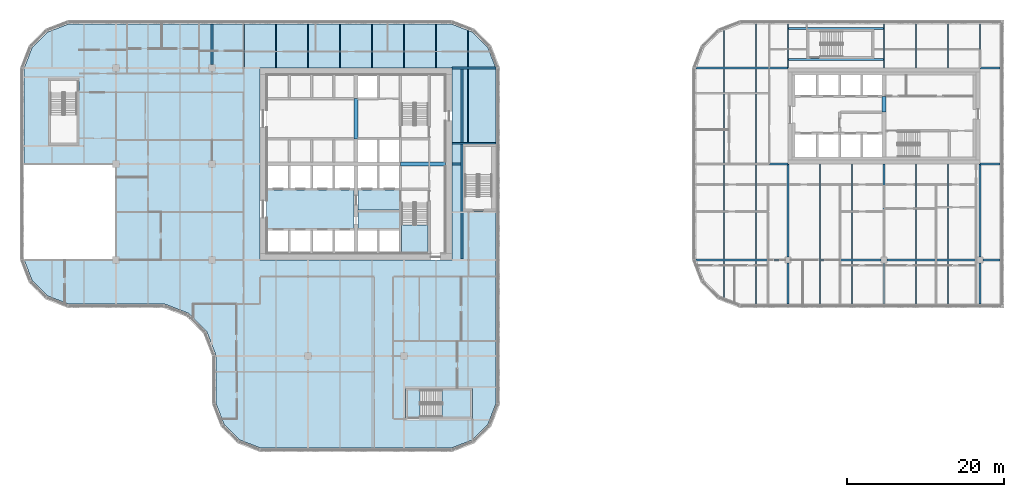
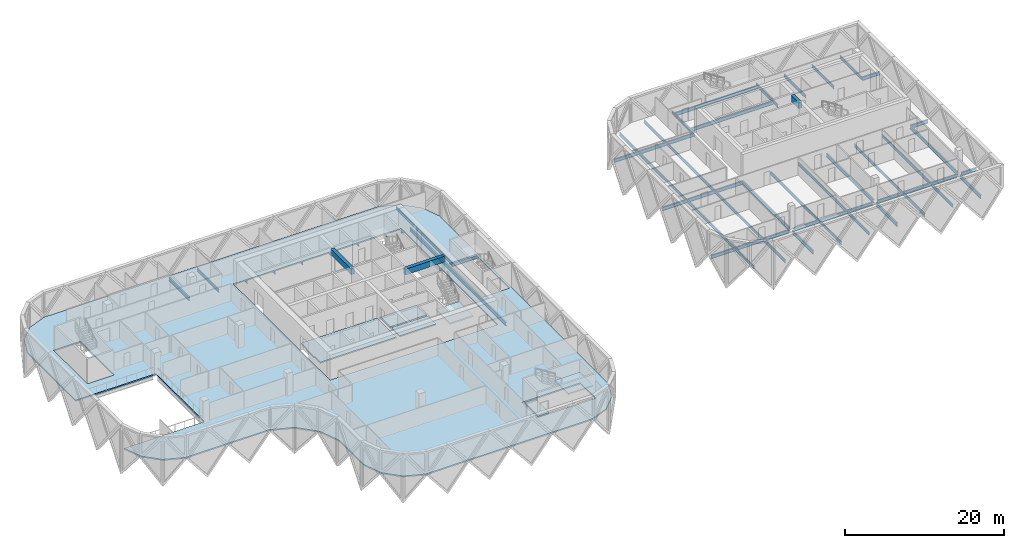
# One storey, part 2 of 24: 54 beams, 7 slabs, 2 elements without a shape of their own.
"""IFC4 building model written with IfcOpenShell, lengths in metres."""

from ifc_helpers import new_model, si_unit, direction, frame, origin, origin_2d, place, context, subcontext, project, spatial, polyline, rectangle, i_section, outline, extrude, material, layer, layer_set, material_profile, profile_set, type_object, element, aggregate, save


model = new_model("IFC4")

# Units and contexts
model_context = context("Model", 3, precision=1e-05, world=origin(), true_north=direction((0.0, 1.0)))
body_context = subcontext(model_context, "Body", "Model", "MODEL_VIEW")
ifc_project = project(units=[si_unit("LENGTHUNIT", "METRE"), si_unit("AREAUNIT", "SQUARE_METRE"), si_unit("VOLUMEUNIT", "CUBIC_METRE"), si_unit("PLANEANGLEUNIT", "RADIAN"), si_unit("MASSUNIT", "GRAM", prefix="KILO")], contexts=[model_context])

# Site, building, storey
site_placement = place(None, origin())
site = spatial("IfcSite", under=ifc_project, at=site_placement, CompositionType="ELEMENT")
building_placement = place(site_placement, origin())
building = spatial("IfcBuilding", under=site, at=building_placement, Name="Tessera Gate Towers", CompositionType="ELEMENT")
storey_placement = place(building_placement, frame((0.0, 0.0, 102.800048828125)))
storey = spatial("IfcBuildingStorey", under=building, at=storey_placement, Name="L25", CompositionType="ELEMENT", Elevation=102.800048828125)

# Beams
ifc_material_1 = material(Name="Concrete C50/60", Category="concrete")
ifc_material_profile_1 = material_profile(ifc_material_1, rectangle(XDim=0.5, YDim=0.89990234375, at=origin_2d()), Name="RC 500x900")
ifc_profile_set_1 = profile_set([ifc_material_profile_1], Name="Concrete C50/60")
beam_type_1 = type_object("IfcBeamType", Name="COUPLING BEAM 500x900 C50/60", PredefinedType="BEAM", material=ifc_profile_set_1)
beam_1_placement = place(storey_placement, frame((109.800048828125, 43.199951171875, 3.099853515625), z_axis=(0.0, 1.0, 0.0), x_axis=(-1.0, 0.0, 0.0)))
element("IfcBeam", 1, at=beam_1_placement, inside=storey, type_object=beam_type_1, Name="L25 coupling beam 1", PredefinedType="BEAM", context=body_context, shape_type="SweptSolid", body=[
    extrude(rectangle(XDim=0.5, YDim=0.89990234375, at=origin_2d()), origin(), (0.0, 0.0, 1.0), 2.0),
])
ifc_material_2 = material(Name="Concrete C60/75", Category="concrete")
ifc_material_profile_2 = material_profile(ifc_material_2, rectangle(XDim=0.5, YDim=0.89990234375, at=origin_2d()), Name="RC 500x900")
ifc_profile_set_2 = profile_set([ifc_material_profile_2], Name="Concrete C60/75")
beam_type_2 = type_object("IfcBeamType", Name="COUPLING BEAM 500x900 C60/75", PredefinedType="BEAM", material=ifc_profile_set_2)
beam_2_placement = place(storey_placement, frame((48.35009765625, 36.60009765625, 3.099853515625), z_axis=(1.0, 0.0, 0.0), x_axis=(0.0, 1.0, 0.0)))
element("IfcBeam", 2, at=beam_2_placement, inside=storey, type_object=beam_type_2, Name="L25 coupling beam 1", PredefinedType="BEAM", context=body_context, shape_type="SweptSolid", body=[
    extrude(rectangle(XDim=0.5, YDim=0.89990234375, at=origin_2d()), origin(), (0.0, 0.0, 1.0), 5.75),
])
beam_3_placement = place(storey_placement, frame((42.699951171875, 39.800048828125, 3.099853515625), z_axis=(0.0, 1.0, 0.0), x_axis=(-1.0, 0.0, 0.0)))
element("IfcBeam", 3, at=beam_3_placement, inside=storey, type_object=beam_type_2, Name="L25 coupling beam 2", PredefinedType="BEAM", context=body_context, shape_type="SweptSolid", body=[
    extrude(rectangle(XDim=0.5, YDim=0.89990234375, at=origin_2d()), origin(), (0.0, 0.0, 1.0), 5.099853515625),
])
ifc_material_3 = material(Name="Steel 350W", Category="steel")
ifc_material_profile_3 = material_profile(ifc_material_3, i_section(OverallWidth=0.208984375, OverallDepth=0.532958984375, WebThickness=0.01025390625, FlangeThickness=0.015625, at=origin_2d()), Name="W530x92")
ifc_profile_set_3 = profile_set([ifc_material_profile_3], Name="Steel 350W")
beam_type_3 = type_object("IfcBeamType", Name="FLOOR GIRDER W530x92", PredefinedType="BEAM", material=ifc_profile_set_3)
beam_4_placement = place(storey_placement, frame((54.89892578125, 36.60009765625, -0.466552734375), z_axis=(1.0, 0.0, 0.0), x_axis=(0.0, 1.0, 0.0)))
element("IfcBeam", 4, at=beam_4_placement, inside=storey, type_object=beam_type_3, Name="T1-GD-L25-3300", PredefinedType="BEAM", context=body_context, shape_type="SweptSolid", body=[
    extrude(i_section(OverallWidth=0.208984375, OverallDepth=0.532958984375, WebThickness=0.01025390625, FlangeThickness=0.015625, at=origin_2d()), origin(), (0.0, 0.0, 1.0), 1.176513671875),
])
beam_5_placement = place(storey_placement, frame((54.90087890625, 48.800048828125, -0.466552734375), z_axis=(1.0, 0.0, 0.0), x_axis=(0.0, 1.0, 0.0)))
element("IfcBeam", 5, at=beam_5_placement, inside=storey, type_object=beam_type_3, Name="T1-GD-L25-3304", PredefinedType="BEAM", context=body_context, shape_type="SweptSolid", body=[
    extrude(i_section(OverallWidth=0.208984375, OverallDepth=0.532958984375, WebThickness=0.01025390625, FlangeThickness=0.015625, at=origin_2d()), origin(), (0.0, 0.0, 1.0), 5.564208984375),
])
beam_6_placement = place(storey_placement, frame((24.39990234375, 49.25, -0.466552734375), z_axis=(0.0, 1.0, 0.0), x_axis=(-1.0, 0.0, 0.0)))
element("IfcBeam", 6, at=beam_6_placement, inside=storey, type_object=beam_type_3, Name="T1-GD-L25-3312", PredefinedType="BEAM", context=body_context, shape_type="SweptSolid", body=[
    extrude(i_section(OverallWidth=0.208984375, OverallDepth=0.532958984375, WebThickness=0.01025390625, FlangeThickness=0.015625, at=origin_2d()), origin(), (0.0, 0.0, 1.0), 5.15087890625),
])
beam_7_placement = place(storey_placement, frame((54.89892578125, 39.219970703125, -0.466552734375), z_axis=(1.0, 0.0, 0.0), x_axis=(0.0, 1.0, 0.0)))
element("IfcBeam", 7, at=beam_7_placement, inside=storey, type_object=beam_type_3, Name="T1-GD-L25-3322", PredefinedType="BEAM", context=body_context, shape_type="SweptSolid", body=[
    extrude(i_section(OverallWidth=0.208984375, OverallDepth=0.532958984375, WebThickness=0.01025390625, FlangeThickness=0.015625, at=origin_2d()), origin(), (0.0, 0.0, 1.0), 5.60205078125),
])
beam_8_placement = place(storey_placement, frame((56.179931640625, 24.50439453125, -0.466552734375), z_axis=(0.0, 1.0, 0.0), x_axis=(-1.0, 0.0, 0.0)))
element("IfcBeam", 8, at=beam_8_placement, inside=storey, type_object=beam_type_3, Name="T1-GD-L25-3323", PredefinedType="BEAM", context=body_context, shape_type="SweptSolid", body=[
    extrude(i_section(OverallWidth=0.208984375, OverallDepth=0.532958984375, WebThickness=0.01025390625, FlangeThickness=0.015625, at=origin_2d()), origin(), (0.0, 0.0, 1.0), 24.191162109375),
])
beam_9_placement = place(storey_placement, frame((85.934814453125, 24.39990234375, -0.466552734375), z_axis=(1.0, 0.0, 0.0), x_axis=(0.0, 1.0, 0.0)))
element("IfcBeam", 9, at=beam_9_placement, inside=storey, type_object=beam_type_3, Name="T2-GD-L25-3364", PredefinedType="BEAM", context=body_context, shape_type="SweptSolid", body=[
    extrude(i_section(OverallWidth=0.208984375, OverallDepth=0.532958984375, WebThickness=0.01025390625, FlangeThickness=0.015625, at=origin_2d()), origin(), (0.0, 0.0, 1.0), 11.315185546875),
])
for number, where, z_axis, x_axis, name in (
    (10, (97.949951171875, 24.39990234375, -0.466552734375), (1.0, 0.0, 0.0), (0.0, 1.0, 0.0), "T2-GD-L25-3365"),
    (11, (110.14990234375, 24.39990234375, -0.466552734375), (1.0, 0.0, 0.0), (0.0, 1.0, 0.0), "T2-GD-L25-3366"),
):
    element("IfcBeam", number, at=place(storey_placement, frame(where, z_axis=z_axis, x_axis=x_axis)), inside=storey, type_object=beam_type_3, Name=name, PredefinedType="BEAM", context=body_context, shape_type="SweptSolid", body=[
        extrude(i_section(OverallWidth=0.208984375, OverallDepth=0.532958984375, WebThickness=0.01025390625, FlangeThickness=0.015625, at=origin_2d()), origin(), (0.0, 0.0, 1.0), 11.5),
    ])
beam_10_placement = place(storey_placement, frame((122.35009765625, 24.39990234375, -0.466552734375), z_axis=(1.0, 0.0, 0.0), x_axis=(0.0, 1.0, 0.0)))
element("IfcBeam", 12, at=beam_10_placement, inside=storey, type_object=beam_type_3, Name="T2-GD-L25-3367", PredefinedType="BEAM", context=body_context, shape_type="SweptSolid", body=[
    extrude(i_section(OverallWidth=0.208984375, OverallDepth=0.532958984375, WebThickness=0.01025390625, FlangeThickness=0.015625, at=origin_2d()), origin(), (0.0, 0.0, 1.0), 2.200927734375),
])
beam_11_placement = place(storey_placement, frame((85.89892578125, 36.60009765625, -0.466552734375), z_axis=(1.0, 0.0, 0.0), x_axis=(0.0, 1.0, 0.0)))
element("IfcBeam", 13, at=beam_11_placement, inside=storey, type_object=beam_type_3, Name="T2-GD-L25-3368", PredefinedType="BEAM", context=body_context, shape_type="SweptSolid", body=[
    extrude(i_section(OverallWidth=0.208984375, OverallDepth=0.532958984375, WebThickness=0.01025390625, FlangeThickness=0.015625, at=origin_2d()), origin(), (0.0, 0.0, 1.0), 11.7001953125),
])
beam_12_placement = place(storey_placement, frame((122.0009765625, 36.60009765625, -0.466552734375), z_axis=(1.0, 0.0, 0.0), x_axis=(0.0, 1.0, 0.0)))
element("IfcBeam", 14, at=beam_12_placement, inside=storey, type_object=beam_type_3, Name="T2-GD-L25-3369", PredefinedType="BEAM", context=body_context, shape_type="SweptSolid", body=[
    extrude(i_section(OverallWidth=0.208984375, OverallDepth=0.532958984375, WebThickness=0.01025390625, FlangeThickness=0.015625, at=origin_2d()), origin(), (0.0, 0.0, 1.0), 2.550048828125),
])
beam_13_placement = place(storey_placement, frame((85.934814453125, 48.800048828125, -0.466552734375), z_axis=(1.0, 0.0, 0.0), x_axis=(0.0, 1.0, 0.0)))
element("IfcBeam", 15, at=beam_13_placement, inside=storey, type_object=beam_type_3, Name="T2-GD-L25-3370", PredefinedType="BEAM", context=body_context, shape_type="SweptSolid", body=[
    extrude(i_section(OverallWidth=0.208984375, OverallDepth=0.532958984375, WebThickness=0.01025390625, FlangeThickness=0.015625, at=origin_2d()), origin(), (0.0, 0.0, 1.0), 11.664306640625),
])
beam_14_placement = place(storey_placement, frame((122.0009765625, 48.800048828125, -0.466552734375), z_axis=(1.0, 0.0, 0.0), x_axis=(0.0, 1.0, 0.0)))
element("IfcBeam", 16, at=beam_14_placement, inside=storey, type_object=beam_type_3, Name="T2-GD-L25-3371", PredefinedType="BEAM", context=body_context, shape_type="SweptSolid", body=[
    extrude(i_section(OverallWidth=0.208984375, OverallDepth=0.532958984375, WebThickness=0.01025390625, FlangeThickness=0.015625, at=origin_2d()), origin(), (0.0, 0.0, 1.0), 2.550048828125),
])
beam_15_placement = place(storey_placement, frame((97.60009765625, 18.799072265625, -0.466552734375), z_axis=(0.0, 1.0, 0.0), x_axis=(-1.0, 0.0, 0.0)))
element("IfcBeam", 17, at=beam_15_placement, inside=storey, type_object=beam_type_3, Name="T2-GD-L25-3372", PredefinedType="BEAM", context=body_context, shape_type="SweptSolid", body=[
    extrude(i_section(OverallWidth=0.208984375, OverallDepth=0.532958984375, WebThickness=0.01025390625, FlangeThickness=0.015625, at=origin_2d()), origin(), (0.0, 0.0, 1.0), 5.2509765625),
])
beam_16_placement = place(storey_placement, frame((97.60009765625, 24.75, -0.466552734375), z_axis=(0.0, 1.0, 0.0), x_axis=(-1.0, 0.0, 0.0)))
element("IfcBeam", 18, at=beam_16_placement, inside=storey, type_object=beam_type_3, Name="T2-GD-L25-3373", PredefinedType="BEAM", context=body_context, shape_type="SweptSolid", body=[
    extrude(i_section(OverallWidth=0.208984375, OverallDepth=0.532958984375, WebThickness=0.01025390625, FlangeThickness=0.015625, at=origin_2d()), origin(), (0.0, 0.0, 1.0), 11.85009765625),
])
beam_17_placement = place(storey_placement, frame((109.800048828125, 18.799072265625, -0.466552734375), z_axis=(0.0, 1.0, 0.0), x_axis=(-1.0, 0.0, 0.0)))
element("IfcBeam", 19, at=beam_17_placement, inside=storey, type_object=beam_type_3, Name="T2-GD-L25-3374", PredefinedType="BEAM", context=body_context, shape_type="SweptSolid", body=[
    extrude(i_section(OverallWidth=0.208984375, OverallDepth=0.532958984375, WebThickness=0.01025390625, FlangeThickness=0.015625, at=origin_2d()), origin(), (0.0, 0.0, 1.0), 5.2509765625),
])
beam_18_placement = place(storey_placement, frame((109.800048828125, 24.75, -0.466552734375), z_axis=(0.0, 1.0, 0.0), x_axis=(-1.0, 0.0, 0.0)))
element("IfcBeam", 20, at=beam_18_placement, inside=storey, type_object=beam_type_3, Name="T2-GD-L25-3375", PredefinedType="BEAM", context=body_context, shape_type="SweptSolid", body=[
    extrude(i_section(OverallWidth=0.208984375, OverallDepth=0.532958984375, WebThickness=0.01025390625, FlangeThickness=0.015625, at=origin_2d()), origin(), (0.0, 0.0, 1.0), 11.85009765625),
])
beam_19_placement = place(storey_placement, frame((122.0, 18.799072265625, -0.466552734375), z_axis=(0.0, 1.0, 0.0), x_axis=(-1.0, 0.0, 0.0)))
element("IfcBeam", 21, at=beam_19_placement, inside=storey, type_object=beam_type_3, Name="T2-GD-L25-3376", PredefinedType="BEAM", context=body_context, shape_type="SweptSolid", body=[
    extrude(i_section(OverallWidth=0.208984375, OverallDepth=0.532958984375, WebThickness=0.01025390625, FlangeThickness=0.015625, at=origin_2d()), origin(), (0.0, 0.0, 1.0), 5.2509765625),
])
beam_20_placement = place(storey_placement, frame((122.0, 24.75, -0.466552734375), z_axis=(0.0, 1.0, 0.0), x_axis=(-1.0, 0.0, 0.0)))
element("IfcBeam", 22, at=beam_20_placement, inside=storey, type_object=beam_type_3, Name="T2-GD-L25-3377", PredefinedType="BEAM", context=body_context, shape_type="SweptSolid", body=[
    extrude(i_section(OverallWidth=0.208984375, OverallDepth=0.532958984375, WebThickness=0.01025390625, FlangeThickness=0.015625, at=origin_2d()), origin(), (0.0, 0.0, 1.0), 11.85009765625),
])
for number, where, z_axis, x_axis, name in (
    (23, (97.676513671875, 49.8798828125, -0.466552734375), (1.0, 0.0, 0.0), (0.0, 1.0, 0.0), "T2-GD-L25-3378"),
    (24, (97.676513671875, 53.820068359375, -0.466552734375), (1.0, 0.0, 0.0), (0.0, 1.0, 0.0), "T2-GD-L25-3379"),
):
    element("IfcBeam", number, at=place(storey_placement, frame(where, z_axis=z_axis, x_axis=x_axis)), inside=storey, type_object=beam_type_3, Name=name, PredefinedType="BEAM", context=body_context, shape_type="SweptSolid", body=[
        extrude(i_section(OverallWidth=0.208984375, OverallDepth=0.532958984375, WebThickness=0.01025390625, FlangeThickness=0.015625, at=origin_2d()), origin(), (0.0, 0.0, 1.0), 12.046875),
    ])
ifc_material_4 = material(Name="Steel 350W", Category="steel")
ifc_material_profile_4 = material_profile(ifc_material_4, i_section(OverallWidth=0.153076171875, OverallDepth=0.455078125, WebThickness=0.008056640625, FlangeThickness=0.01318359375, at=origin_2d()), Name="W460x60")
ifc_profile_set_4 = profile_set([ifc_material_profile_4], Name="Steel 350W")
beam_type_4 = type_object("IfcBeamType", Name="FLOOR SECONDARY W460x60", PredefinedType="BEAM", material=ifc_profile_set_4)
beam_21_placement = place(storey_placement, frame((28.466796875, 48.904541015625, -0.427490234375), z_axis=(0.0, 1.0, 0.0), x_axis=(-1.0, 0.0, 0.0)))
element("IfcBeam", 25, at=beam_21_placement, inside=storey, type_object=beam_type_4, Name="T1-BM-L25-3342", PredefinedType="BEAM", context=body_context, shape_type="SweptSolid", body=[
    extrude(i_section(OverallWidth=0.153076171875, OverallDepth=0.455078125, WebThickness=0.008056640625, FlangeThickness=0.01318359375, at=origin_2d()), origin(), (0.0, 0.0, 1.0), 5.495361328125),
])
for number, where, z_axis, x_axis, name in (
    (26, (32.533203125, 48.800048828125, -0.427490234375), (0.0, 1.0, 0.0), (-1.0, 0.0, 0.0), "T1-BM-L25-3345"),
    (27, (36.60009765625, 48.800048828125, -0.427490234375), (0.0, 1.0, 0.0), (-1.0, 0.0, 0.0), "T1-BM-L25-3346"),
    (28, (40.666748046875, 48.800048828125, -0.427490234375), (0.0, 1.0, 0.0), (-1.0, 0.0, 0.0), "T1-BM-L25-3349"),
    (29, (44.7333984375, 48.800048828125, -0.427490234375), (0.0, 1.0, 0.0), (-1.0, 0.0, 0.0), "T1-BM-L25-3352"),
    (30, (48.800048828125, 48.800048828125, -0.427490234375), (0.0, 1.0, 0.0), (-1.0, 0.0, 0.0), "T1-BM-L25-3353"),
    (31, (52.86669921875, 48.800048828125, -0.427490234375), (0.0, 1.0, 0.0), (-1.0, 0.0, 0.0), "T1-BM-L25-3357"),
):
    element("IfcBeam", number, at=place(storey_placement, frame(where, z_axis=z_axis, x_axis=x_axis)), inside=storey, type_object=beam_type_4, Name=name, PredefinedType="BEAM", context=body_context, shape_type="SweptSolid", body=[
        extrude(i_section(OverallWidth=0.153076171875, OverallDepth=0.455078125, WebThickness=0.008056640625, FlangeThickness=0.01318359375, at=origin_2d()), origin(), (0.0, 0.0, 1.0), 5.599853515625),
    ])
beam_22_placement = place(storey_placement, frame((56.933349609375, 39.324462890625, -0.427490234375), z_axis=(0.0, 1.0, 0.0), x_axis=(-1.0, 0.0, 0.0)))
element("IfcBeam", 32, at=beam_22_placement, inside=storey, type_object=beam_type_4, Name="T1-BM-L25-3362", PredefinedType="BEAM", context=body_context, shape_type="SweptSolid", body=[
    extrude(i_section(OverallWidth=0.153076171875, OverallDepth=0.455078125, WebThickness=0.008056640625, FlangeThickness=0.01318359375, at=origin_2d()), origin(), (0.0, 0.0, 1.0), 9.37109375),
])
for number, where, z_axis, x_axis, name in (
    (33, (56.933349609375, 48.904541015625, -0.427490234375), (0.0, 1.0, 0.0), (-1.0, 0.0, 0.0), "T1-BM-L25-3363"),
    (34, (89.466796875, 19.620361328125, -0.427490234375), (0.0, 1.0, 0.0), (-1.0, 0.0, 0.0), "T2-BM-L25-3380"),
):
    element("IfcBeam", number, at=place(storey_placement, frame(where, z_axis=z_axis, x_axis=x_axis)), inside=storey, type_object=beam_type_4, Name=name, PredefinedType="BEAM", context=body_context, shape_type="SweptSolid", body=[
        extrude(i_section(OverallWidth=0.153076171875, OverallDepth=0.455078125, WebThickness=0.008056640625, FlangeThickness=0.01318359375, at=origin_2d()), origin(), (0.0, 0.0, 1.0), 4.675048828125),
    ])
beam_23_placement = place(storey_placement, frame((89.466796875, 24.50439453125, -0.427490234375), z_axis=(0.0, 1.0, 0.0), x_axis=(-1.0, 0.0, 0.0)))
element("IfcBeam", 35, at=beam_23_placement, inside=storey, type_object=beam_type_4, Name="T2-BM-L25-3381", PredefinedType="BEAM", context=body_context, shape_type="SweptSolid", body=[
    extrude(i_section(OverallWidth=0.153076171875, OverallDepth=0.455078125, WebThickness=0.008056640625, FlangeThickness=0.01318359375, at=origin_2d()), origin(), (0.0, 0.0, 1.0), 11.9912109375),
])
beam_24_placement = place(storey_placement, frame((89.466796875, 36.70458984375, -0.427490234375), z_axis=(0.0, 1.0, 0.0), x_axis=(-1.0, 0.0, 0.0)))
element("IfcBeam", 36, at=beam_24_placement, inside=storey, type_object=beam_type_4, Name="T2-BM-L25-3382", PredefinedType="BEAM", context=body_context, shape_type="SweptSolid", body=[
    extrude(i_section(OverallWidth=0.153076171875, OverallDepth=0.455078125, WebThickness=0.008056640625, FlangeThickness=0.01318359375, at=origin_2d()), origin(), (0.0, 0.0, 1.0), 11.990966796875),
])
beam_25_placement = place(storey_placement, frame((89.466796875, 48.904541015625, -0.427490234375), z_axis=(0.0, 1.0, 0.0), x_axis=(-1.0, 0.0, 0.0)))
element("IfcBeam", 37, at=beam_25_placement, inside=storey, type_object=beam_type_4, Name="T2-BM-L25-3383", PredefinedType="BEAM", context=body_context, shape_type="SweptSolid", body=[
    extrude(i_section(OverallWidth=0.153076171875, OverallDepth=0.455078125, WebThickness=0.008056640625, FlangeThickness=0.01318359375, at=origin_2d()), origin(), (0.0, 0.0, 1.0), 4.675048828125),
])
beam_26_placement = place(storey_placement, frame((93.533203125, 18.800048828125, -0.427490234375), z_axis=(0.0, 1.0, 0.0), x_axis=(-1.0, 0.0, 0.0)))
element("IfcBeam", 38, at=beam_26_placement, inside=storey, type_object=beam_type_4, Name="T2-BM-L25-3384", PredefinedType="BEAM", context=body_context, shape_type="SweptSolid", body=[
    extrude(i_section(OverallWidth=0.153076171875, OverallDepth=0.455078125, WebThickness=0.008056640625, FlangeThickness=0.01318359375, at=origin_2d()), origin(), (0.0, 0.0, 1.0), 5.495361328125),
])
beam_27_placement = place(storey_placement, frame((93.533203125, 24.50439453125, -0.427490234375), z_axis=(0.0, 1.0, 0.0), x_axis=(-1.0, 0.0, 0.0)))
element("IfcBeam", 39, at=beam_27_placement, inside=storey, type_object=beam_type_4, Name="T2-BM-L25-3385", PredefinedType="BEAM", context=body_context, shape_type="SweptSolid", body=[
    extrude(i_section(OverallWidth=0.153076171875, OverallDepth=0.455078125, WebThickness=0.008056640625, FlangeThickness=0.01318359375, at=origin_2d()), origin(), (0.0, 0.0, 1.0), 11.9912109375),
])
beam_28_placement = place(storey_placement, frame((93.533203125, 36.70458984375, -0.427490234375), z_axis=(0.0, 1.0, 0.0), x_axis=(-1.0, 0.0, 0.0)))
element("IfcBeam", 40, at=beam_28_placement, inside=storey, type_object=beam_type_4, Name="T2-BM-L25-3386", PredefinedType="BEAM", context=body_context, shape_type="SweptSolid", body=[
    extrude(i_section(OverallWidth=0.153076171875, OverallDepth=0.455078125, WebThickness=0.008056640625, FlangeThickness=0.01318359375, at=origin_2d()), origin(), (0.0, 0.0, 1.0), 11.990966796875),
])
beam_29_placement = place(storey_placement, frame((93.533203125, 48.904541015625, -0.427490234375), z_axis=(0.0, 1.0, 0.0), x_axis=(-1.0, 0.0, 0.0)))
element("IfcBeam", 41, at=beam_29_placement, inside=storey, type_object=beam_type_4, Name="T2-BM-L25-3387", PredefinedType="BEAM", context=body_context, shape_type="SweptSolid", body=[
    extrude(i_section(OverallWidth=0.153076171875, OverallDepth=0.455078125, WebThickness=0.008056640625, FlangeThickness=0.01318359375, at=origin_2d()), origin(), (0.0, 0.0, 1.0), 5.495361328125),
])
beam_30_placement = place(storey_placement, frame((97.60009765625, 48.800048828125, -0.427490234375), z_axis=(0.0, 1.0, 0.0), x_axis=(-1.0, 0.0, 0.0)))
element("IfcBeam", 42, at=beam_30_placement, inside=storey, type_object=beam_type_4, Name="T2-BM-L25-3388", PredefinedType="BEAM", context=body_context, shape_type="SweptSolid", body=[
    extrude(i_section(OverallWidth=0.153076171875, OverallDepth=0.455078125, WebThickness=0.008056640625, FlangeThickness=0.01318359375, at=origin_2d()), origin(), (0.0, 0.0, 1.0), 5.599853515625),
])
beam_31_placement = place(storey_placement, frame((101.666748046875, 18.800048828125, -0.427490234375), z_axis=(0.0, 1.0, 0.0), x_axis=(-1.0, 0.0, 0.0)))
element("IfcBeam", 43, at=beam_31_placement, inside=storey, type_object=beam_type_4, Name="T2-BM-L25-3389", PredefinedType="BEAM", context=body_context, shape_type="SweptSolid", body=[
    extrude(i_section(OverallWidth=0.153076171875, OverallDepth=0.455078125, WebThickness=0.008056640625, FlangeThickness=0.01318359375, at=origin_2d()), origin(), (0.0, 0.0, 1.0), 5.495361328125),
])
beam_32_placement = place(storey_placement, frame((101.666748046875, 24.50439453125, -0.427490234375), z_axis=(0.0, 1.0, 0.0), x_axis=(-1.0, 0.0, 0.0)))
element("IfcBeam", 44, at=beam_32_placement, inside=storey, type_object=beam_type_4, Name="T2-BM-L25-3390", PredefinedType="BEAM", context=body_context, shape_type="SweptSolid", body=[
    extrude(i_section(OverallWidth=0.153076171875, OverallDepth=0.455078125, WebThickness=0.008056640625, FlangeThickness=0.01318359375, at=origin_2d()), origin(), (0.0, 0.0, 1.0), 12.095703125),
])
beam_33_placement = place(storey_placement, frame((105.7333984375, 18.800048828125, -0.427490234375), z_axis=(0.0, 1.0, 0.0), x_axis=(-1.0, 0.0, 0.0)))
element("IfcBeam", 45, at=beam_33_placement, inside=storey, type_object=beam_type_4, Name="T2-BM-L25-3391", PredefinedType="BEAM", context=body_context, shape_type="SweptSolid", body=[
    extrude(i_section(OverallWidth=0.153076171875, OverallDepth=0.455078125, WebThickness=0.008056640625, FlangeThickness=0.01318359375, at=origin_2d()), origin(), (0.0, 0.0, 1.0), 5.495361328125),
])
beam_34_placement = place(storey_placement, frame((105.7333984375, 24.50439453125, -0.427490234375), z_axis=(0.0, 1.0, 0.0), x_axis=(-1.0, 0.0, 0.0)))
element("IfcBeam", 46, at=beam_34_placement, inside=storey, type_object=beam_type_4, Name="T2-BM-L25-3392", PredefinedType="BEAM", context=body_context, shape_type="SweptSolid", body=[
    extrude(i_section(OverallWidth=0.153076171875, OverallDepth=0.455078125, WebThickness=0.008056640625, FlangeThickness=0.01318359375, at=origin_2d()), origin(), (0.0, 0.0, 1.0), 12.095703125),
])
beam_35_placement = place(storey_placement, frame((109.800048828125, 48.800048828125, -0.427490234375), z_axis=(0.0, 1.0, 0.0), x_axis=(-1.0, 0.0, 0.0)))
element("IfcBeam", 47, at=beam_35_placement, inside=storey, type_object=beam_type_4, Name="T2-BM-L25-3393", PredefinedType="BEAM", context=body_context, shape_type="SweptSolid", body=[
    extrude(i_section(OverallWidth=0.153076171875, OverallDepth=0.455078125, WebThickness=0.008056640625, FlangeThickness=0.01318359375, at=origin_2d()), origin(), (0.0, 0.0, 1.0), 5.599853515625),
])
beam_36_placement = place(storey_placement, frame((113.86669921875, 18.800048828125, -0.427490234375), z_axis=(0.0, 1.0, 0.0), x_axis=(-1.0, 0.0, 0.0)))
element("IfcBeam", 48, at=beam_36_placement, inside=storey, type_object=beam_type_4, Name="T2-BM-L25-3394", PredefinedType="BEAM", context=body_context, shape_type="SweptSolid", body=[
    extrude(i_section(OverallWidth=0.153076171875, OverallDepth=0.455078125, WebThickness=0.008056640625, FlangeThickness=0.01318359375, at=origin_2d()), origin(), (0.0, 0.0, 1.0), 5.495361328125),
])
beam_37_placement = place(storey_placement, frame((113.86669921875, 24.50439453125, -0.427490234375), z_axis=(0.0, 1.0, 0.0), x_axis=(-1.0, 0.0, 0.0)))
element("IfcBeam", 49, at=beam_37_placement, inside=storey, type_object=beam_type_4, Name="T2-BM-L25-3395", PredefinedType="BEAM", context=body_context, shape_type="SweptSolid", body=[
    extrude(i_section(OverallWidth=0.153076171875, OverallDepth=0.455078125, WebThickness=0.008056640625, FlangeThickness=0.01318359375, at=origin_2d()), origin(), (0.0, 0.0, 1.0), 12.095703125),
])
beam_38_placement = place(storey_placement, frame((113.86669921875, 48.800048828125, -0.427490234375), z_axis=(0.0, 1.0, 0.0), x_axis=(-1.0, 0.0, 0.0)))
element("IfcBeam", 50, at=beam_38_placement, inside=storey, type_object=beam_type_4, Name="T2-BM-L25-3396", PredefinedType="BEAM", context=body_context, shape_type="SweptSolid", body=[
    extrude(i_section(OverallWidth=0.153076171875, OverallDepth=0.455078125, WebThickness=0.008056640625, FlangeThickness=0.01318359375, at=origin_2d()), origin(), (0.0, 0.0, 1.0), 5.599853515625),
])
beam_39_placement = place(storey_placement, frame((117.933349609375, 18.800048828125, -0.427490234375), z_axis=(0.0, 1.0, 0.0), x_axis=(-1.0, 0.0, 0.0)))
element("IfcBeam", 51, at=beam_39_placement, inside=storey, type_object=beam_type_4, Name="T2-BM-L25-3397", PredefinedType="BEAM", context=body_context, shape_type="SweptSolid", body=[
    extrude(i_section(OverallWidth=0.153076171875, OverallDepth=0.455078125, WebThickness=0.008056640625, FlangeThickness=0.01318359375, at=origin_2d()), origin(), (0.0, 0.0, 1.0), 5.495361328125),
])
beam_40_placement = place(storey_placement, frame((117.933349609375, 24.50439453125, -0.427490234375), z_axis=(0.0, 1.0, 0.0), x_axis=(-1.0, 0.0, 0.0)))
element("IfcBeam", 52, at=beam_40_placement, inside=storey, type_object=beam_type_4, Name="T2-BM-L25-3398", PredefinedType="BEAM", context=body_context, shape_type="SweptSolid", body=[
    extrude(i_section(OverallWidth=0.153076171875, OverallDepth=0.455078125, WebThickness=0.008056640625, FlangeThickness=0.01318359375, at=origin_2d()), origin(), (0.0, 0.0, 1.0), 12.095703125),
])
for number, where, z_axis, x_axis, name in (
    (53, (117.933349609375, 48.800048828125, -0.427490234375), (0.0, 1.0, 0.0), (-1.0, 0.0, 0.0), "T2-BM-L25-3399"),
    (54, (122.0, 48.800048828125, -0.427490234375), (0.0, 1.0, 0.0), (-1.0, 0.0, 0.0), "T2-BM-L25-3400"),
):
    element("IfcBeam", number, at=place(storey_placement, frame(where, z_axis=z_axis, x_axis=x_axis)), inside=storey, type_object=beam_type_4, Name=name, PredefinedType="BEAM", context=body_context, shape_type="SweptSolid", body=[
        extrude(i_section(OverallWidth=0.153076171875, OverallDepth=0.455078125, WebThickness=0.008056640625, FlangeThickness=0.01318359375, at=origin_2d()), origin(), (0.0, 0.0, 1.0), 5.599853515625),
    ])

# Slabs
ifc_material_5 = material(Name="Concrete C35/45", Category="concrete")
ifc_layer_1 = layer(ifc_material_5, 0.199951171875)
ifc_layer_set_1 = layer_set([ifc_layer_1], Name="COMPOSITE FLOOR 200")
slab_type_1 = type_object("IfcSlabType", Name="COMPOSITE FLOOR 200", PredefinedType="FLOOR", material=ifc_layer_set_1)
slab_1_placement = place(storey_placement, frame((0.0, 0.0, -0.199951171875)))
element("IfcSlab", 55, at=slab_1_placement, inside=storey, type_object=slab_type_1, Name="T1-L25", PredefinedType="FLOOR", context=body_context, shape_type="SweptSolid", body=[
    extrude(outline(polyline([(0.5, 36.60009765625), (12.199951171875, 36.60009765625), (12.199951171875, 24.39990234375), (0.535888671875, 24.39990234375), (1.526123046875, 21.8330078125), (3.533203125, 19.826171875), (6.193115234375, 18.800048828125), (18.39306640625, 18.800048828125), (21.42431640625, 17.630615234375), (23.730712890625, 15.32421875), (24.89990234375, 12.293212890625), (24.89990234375, 6.193115234375), (25.926025390625, 3.533203125), (27.93310546875, 1.526123046875), (30.593017578125, 0.5), (54.806884765625, 0.5), (57.466796875, 1.526123046875), (59.473876953125, 3.533203125), (60.5, 6.193115234375), (60.5, 48.706787109375), (59.473876953125, 51.366943359375), (57.466796875, 53.373779296875), (54.806884765625, 54.39990234375), (6.193115234375, 54.39990234375), (3.533203125, 53.373779296875), (1.526123046875, 51.366943359375), (0.5, 48.706787109375), (0.5, 36.60009765625)]), holes=[polyline([(3.60009765625, 39.0), (3.60009765625, 47.5), (7.5, 47.5), (7.5, 39.0), (3.60009765625, 39.0)]), polyline([(30.5, 24.39990234375), (30.5, 48.800048828125), (54.89990234375, 48.800048828125), (54.89990234375, 24.39990234375), (30.5, 24.39990234375)]), polyline([(49.0, 4.199951171875), (49.0, 8.10009765625), (57.5, 8.10009765625), (57.5, 4.199951171875), (49.0, 4.199951171875)]), polyline([(56.300048828125, 30.60009765625), (56.300048828125, 39.10009765625), (60.199951171875, 39.10009765625), (60.199951171875, 30.60009765625), (56.300048828125, 30.60009765625)])]), origin(), (0.0, 0.0, 1.0), 0.199951171875),
])
ifc_material_6 = material(Name="Concrete C35/45", Category="concrete")
ifc_layer_2 = layer(ifc_material_6, 0.199951171875)
ifc_layer_set_2 = layer_set([ifc_layer_2], Name="CORE FLOOR SLAB 200")
slab_type_2 = type_object("IfcSlabType", Name="CORE FLOOR SLAB 200", PredefinedType="FLOOR", material=ifc_layer_set_2)
slab_2_placement = place(storey_placement, frame((0.0, 0.0, -0.199951171875)))
element("IfcSlab", 56, at=slab_2_placement, inside=storey, type_object=slab_type_2, Name="L25 core floor slab", PredefinedType="FLOOR", context=body_context, shape_type="SweptSolid", body=[
    extrude(outline(polyline([(31.39990234375, 29.800048828125), (31.39990234375, 28.425048828125), (42.449951171875, 28.425048828125), (42.449951171875, 33.27490234375), (31.39990234375, 33.27490234375), (31.39990234375, 31.89990234375), (31.300048828125, 31.89990234375), (31.300048828125, 29.800048828125), (31.39990234375, 29.800048828125)])), origin(), (0.0, 0.0, 1.0), 0.199951171875),
])
slab_3_placement = place(storey_placement, frame((0.0, 0.0, -0.199951171875)))
element("IfcSlab", 57, at=slab_3_placement, inside=storey, type_object=slab_type_2, Name="L25 core floor slab", PredefinedType="FLOOR", context=body_context, shape_type="SweptSolid", body=[
    extrude(outline(polyline([(42.949951171875, 33.27490234375), (42.949951171875, 30.72509765625), (48.22509765625, 30.72509765625), (48.22509765625, 33.27490234375), (42.949951171875, 33.27490234375)])), origin(), (0.0, 0.0, 1.0), 0.199951171875),
])
slab_4_placement = place(storey_placement, frame((0.0, 0.0, -0.199951171875)))
element("IfcSlab", 58, at=slab_4_placement, inside=storey, type_object=slab_type_2, Name="L25 core floor slab", PredefinedType="FLOOR", context=body_context, shape_type="SweptSolid", body=[
    extrude(outline(polyline([(42.949951171875, 30.47509765625), (42.949951171875, 28.425048828125), (48.22509765625, 28.425048828125), (48.22509765625, 30.47509765625), (42.949951171875, 30.47509765625)])), origin(), (0.0, 0.0, 1.0), 0.199951171875),
])
slab_5_placement = place(storey_placement, frame((0.0, 0.0, -0.199951171875)))
element("IfcSlab", 59, at=slab_5_placement, inside=storey, type_object=slab_type_2, Name="L25 ST4 floor landing", PredefinedType="FLOOR", context=body_context, shape_type="SweptSolid", body=[
    extrude(outline(polyline([(49.25, 4.449951171875), (50.85009765625, 4.449951171875), (50.85009765625, 7.85009765625), (49.25, 7.85009765625), (49.25, 4.449951171875)])), origin(), (0.0, 0.0, 1.0), 0.199951171875),
])

# Stair, slab
ifc_material_7 = material(Name="Concrete C40/50", Category="concrete")
stair_type_1 = type_object("IfcStairType", Name="EXIT STAIR ST1 1600", PredefinedType="HALF_TURN_STAIR", material=ifc_material_7)
stair_1_placement = place(storey_placement, origin())
stair_1 = element("IfcStair", 60, at=stair_1_placement, inside=storey, type_object=stair_type_1, Name="L25 Protected Exit Stair ST1", PredefinedType="HALF_TURN_STAIR")
ifc_material_8 = material(Name="Concrete C40/50", Category="concrete")
ifc_layer_3 = layer(ifc_material_8, 0.199951171875)
ifc_layer_set_3 = layer_set([ifc_layer_3], Name="EXIT STAIR LANDING 200")
slab_type_3 = type_object("IfcSlabType", Name="EXIT STAIR LANDING 200", PredefinedType="LANDING", material=ifc_layer_set_3)
slab_6_placement = place(storey_placement, frame((0.0, 0.0, 1.699951171875)))
slab_6 = element("IfcSlab", 61, at=slab_6_placement, type_object=slab_type_3, Name="ST1 landing 1", PredefinedType="LANDING", context=body_context, shape_type="SweptSolid", body=[
    extrude(outline(polyline([(48.47509765625, 28.875), (48.47509765625, 25.300048828125), (51.875, 25.300048828125), (51.875, 28.875), (48.47509765625, 28.875)])), origin(), (0.0, 0.0, 1.0), 0.199951171875),
])
aggregate(stair_1, [slab_6])

ifc_material_9 = material(Name="Concrete C40/50", Category="concrete")
stair_type_2 = type_object("IfcStairType", Name="EXIT STAIR ST4 1600", PredefinedType="HALF_TURN_STAIR", material=ifc_material_9)
stair_2_placement = place(storey_placement, origin())
stair_2 = element("IfcStair", 62, at=stair_2_placement, inside=storey, type_object=stair_type_2, Name="L25 South Exit Stair ST4", PredefinedType="HALF_TURN_STAIR")
slab_7_placement = place(storey_placement, frame((0.0, 0.0, 1.699951171875)))
slab_7 = element("IfcSlab", 63, at=slab_7_placement, type_object=slab_type_3, Name="ST4 landing 1", PredefinedType="LANDING", context=body_context, shape_type="SweptSolid", body=[
    extrude(outline(polyline([(53.64990234375, 4.449951171875), (57.25, 4.449951171875), (57.25, 7.85009765625), (53.64990234375, 7.85009765625), (53.64990234375, 4.449951171875)])), origin(), (0.0, 0.0, 1.0), 0.199951171875),
])
aggregate(stair_2, [slab_7])

save(model, "model.ifc")
